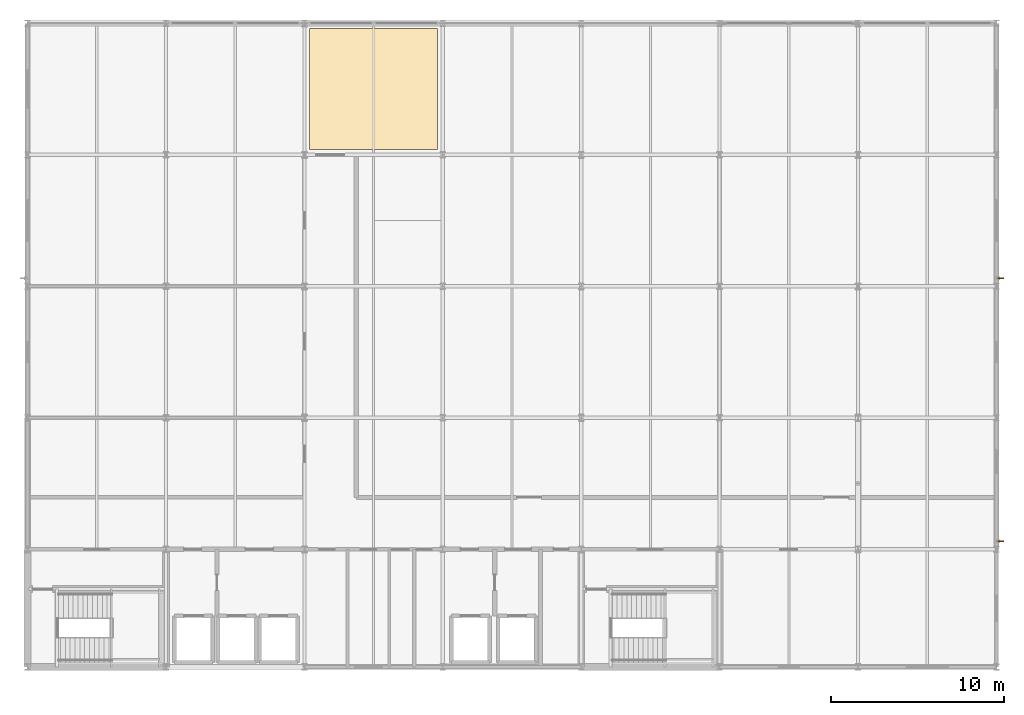
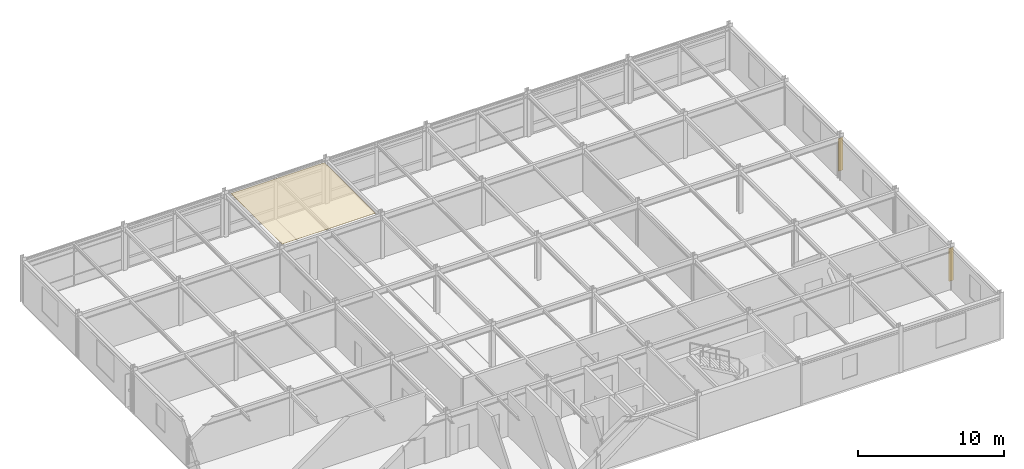
# One storey, part 15 of 15: 2 shading devices, 1 covering.
"""IFC4 building model written with IfcOpenShell, lengths in metres."""

from ifc_helpers import new_model, si_unit, direction, frame, origin, origin_2d, place, context, subcontext, project, spatial, polyline, rectangle, outline, extrude, material, layer, layer_set, type_object, element, save


model = new_model("IFC4")

# Units and contexts
model_context = context("Model", 3, precision=1e-05, world=origin(), true_north=direction((0.0, 1.0)))
body_context = subcontext(model_context, "Body", "Model", "MODEL_VIEW")
ifc_project = project(units=[si_unit("LENGTHUNIT", "METRE"), si_unit("AREAUNIT", "SQUARE_METRE"), si_unit("VOLUMEUNIT", "CUBIC_METRE"), si_unit("PLANEANGLEUNIT", "RADIAN"), si_unit("MASSUNIT", "GRAM", prefix="KILO")], contexts=[model_context])

# Site, building, storey
site_placement = place(None, origin())
site = spatial("IfcSite", under=ifc_project, at=site_placement, CompositionType="ELEMENT")
building_placement = place(site_placement, origin())
building = spatial("IfcBuilding", under=site, at=building_placement, Name="Shalkamar Park Central Library", CompositionType="ELEMENT")
storey_placement = place(building_placement, frame((0.0, 0.0, 47.699951171875)))
storey = spatial("IfcBuildingStorey", under=building, at=storey_placement, Name="L12", CompositionType="ELEMENT", Elevation=47.699951171875)

# Covering
ifc_material_1 = material(Name="Acoustic mineral fibre ceiling panel", Category="other")
ifc_layer_1 = layer(ifc_material_1, 0.02490234375)
ifc_layer_set_1 = layer_set([ifc_layer_1], Name="AcousticMineralCeilingTile")
covering_type = type_object("IfcCoveringType", Name="Acoustic Mineral Ceiling Tile", PredefinedType="CEILING", material=ifc_layer_set_1)
covering_placement = place(storey_placement, frame((0.0, 0.0, 3.5849609375)))
element("IfcCovering", 1, at=covering_placement, inside=storey, type_object=covering_type, Name="Acoustic Reading Ceiling Panel L12", PredefinedType="CEILING", context=body_context, shape_type="SweptSolid", body=[
    extrude(outline(polyline([(181.300048828125, 278.300048828125), (188.699951171875, 278.300048828125), (188.699951171875, 285.300048828125), (181.300048828125, 285.300048828125), (181.300048828125, 278.300048828125)])), origin(), (0.0, 0.0, 1.0), 0.025146484375),
])

# Shading devices
ifc_material_2 = material(Name="Anodized bronze aluminium solar fin", Category="aluminium")
ifc_layer_2 = layer(ifc_material_2, 0.06005859375)
ifc_layer_set_2 = layer_set([ifc_layer_2], Name="BronzeSolarLouvreBlade")
shading_device_type = type_object("IfcShadingDeviceType", Name="Bronze Solar Louvre Blade", PredefinedType="SHUTTER", material=ifc_layer_set_2)
for number, where, z_axis, x_axis, name in (
    (2, (221.260009765625, 255.656005859375, 0.2998046875), (0.0, 0.0, 1.0), (1.0, 0.0, 0.0), "Vertical Solar Fin L12-018"),
    (3, (221.260009765625, 270.85595703125, 0.2998046875), (0.0, 0.0, 1.0), (1.0, 0.0, 0.0), "Vertical Solar Fin L12-019"),
):
    element("IfcShadingDevice", number, at=place(storey_placement, frame(where, z_axis=z_axis, x_axis=x_axis)), inside=storey, type_object=shading_device_type, Name=name, PredefinedType="SHUTTER", context=body_context, shape_type="SweptSolid", body=[
        extrude(rectangle(XDim=0.35009765625, YDim=0.06005859375, at=origin_2d()), origin(), (0.0, 0.0, 1.0), 2.738037109375),
    ])

save(model, "model.ifc")
